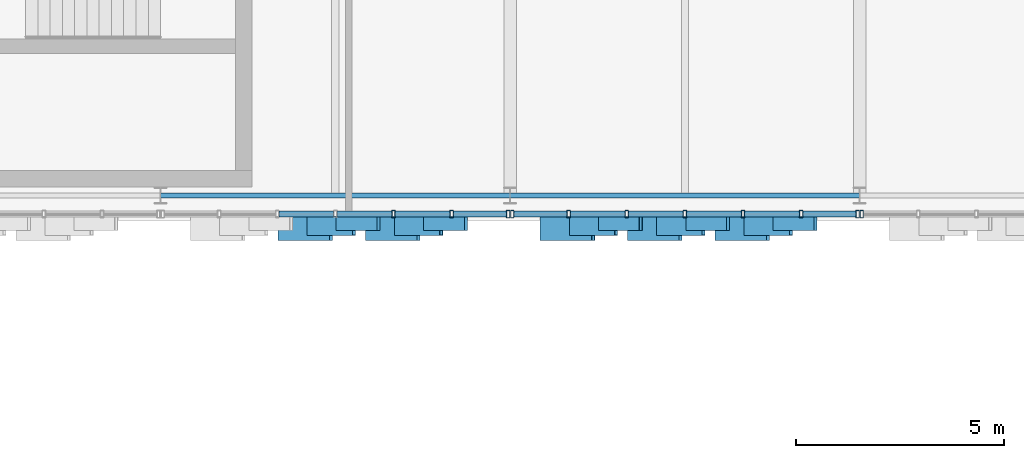
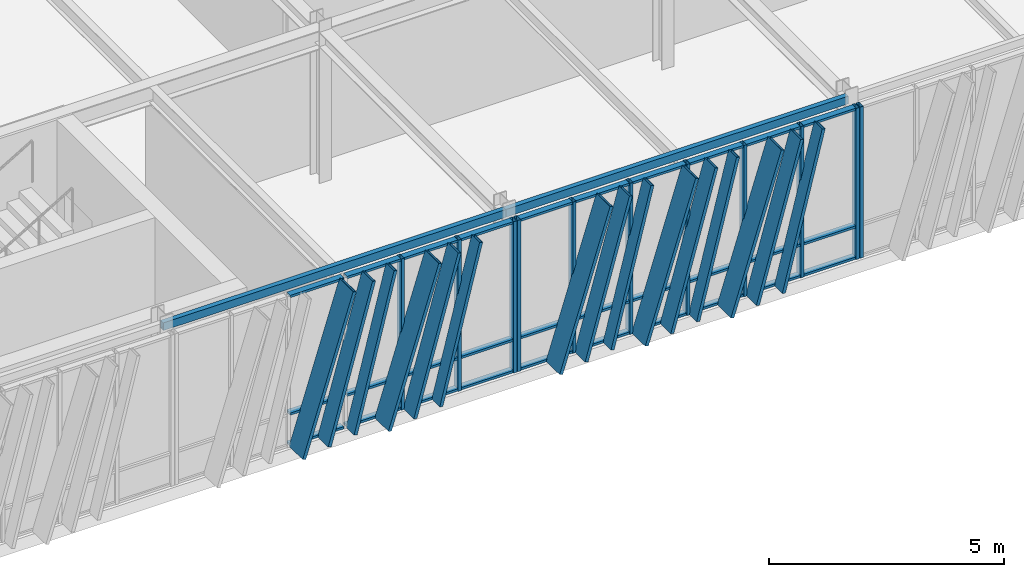
# One storey, part 22 of 127: 56 members, 2 beams, 3 elements without a shape of their own.
"""IFC4 building model written with IfcOpenShell, lengths in metres."""

from ifc_helpers import new_model, si_unit, direction, frame, origin, origin_2d, place, context, subcontext, project, spatial, hollow_rectangle, extrude, material, layer, layer_set, material_profile, profile_set, type_object, element, aggregate, save


model = new_model("IFC4")

# Units and contexts
model_context = context("Model", 3, precision=1e-05, world=origin(), true_north=direction((0.0, 1.0)))
body_context = subcontext(model_context, "Body", "Model", "MODEL_VIEW")
ifc_project = project(units=[si_unit("LENGTHUNIT", "METRE"), si_unit("AREAUNIT", "SQUARE_METRE"), si_unit("VOLUMEUNIT", "CUBIC_METRE"), si_unit("PLANEANGLEUNIT", "RADIAN"), si_unit("MASSUNIT", "GRAM", prefix="KILO")], contexts=[model_context])

# Site, building, storey
site_placement = place(None, origin())
site = spatial("IfcSite", under=ifc_project, at=site_placement, CompositionType="ELEMENT")
building_placement = place(site_placement, origin())
building = spatial("IfcBuilding", under=site, at=building_placement, Name="Zayran Congress Hotel", CompositionType="ELEMENT")
storey_placement = place(building_placement, frame((0.0, 0.0, 10.800048828125)))
storey = spatial("IfcBuildingStorey", under=building, at=storey_placement, Name="L02", CompositionType="ELEMENT", Elevation=10.800048828125)

# Beams
ifc_material_1 = material(Name="Steel S355", Category="steel")
ifc_material_profile_1 = material_profile(ifc_material_1, hollow_rectangle(XDim=0.1201171875, YDim=0.199951171875, WallThickness=0.008056640625, at=origin_2d()), Name="RHS 200x120x8")
ifc_profile_set_1 = profile_set([ifc_material_profile_1], Name="Steel S355")
beam_type = type_object("IfcBeamType", Name="TP-SP-02", PredefinedType="SPANDREL", material=ifc_profile_set_1)
beam_1_placement = place(storey_placement, frame((16.800048828125, 68.199951171875, 3.820068359375), z_axis=(1.0, 0.0, 0.0), x_axis=(0.0, 1.0, 0.0)))
element("IfcBeam", 1, at=beam_1_placement, inside=storey, type_object=beam_type, Name="BM-V1-L02-0653", PredefinedType="SPANDREL", context=body_context, shape_type="SweptSolid", body=[
    extrude(hollow_rectangle(XDim=0.1201171875, YDim=0.199951171875, WallThickness=0.008056640625, at=origin_2d()), origin(), (0.0, 0.0, 1.0), 8.39990234375),
])
beam_2_placement = place(storey_placement, frame((25.199951171875, 68.199951171875, 3.820068359375), z_axis=(1.0, 0.0, 0.0), x_axis=(0.0, 1.0, 0.0)))
element("IfcBeam", 2, at=beam_2_placement, inside=storey, type_object=beam_type, Name="BM-V1-L02-0654", PredefinedType="SPANDREL", context=body_context, shape_type="SweptSolid", body=[
    extrude(hollow_rectangle(XDim=0.1201171875, YDim=0.199951171875, WallThickness=0.008056640625, at=origin_2d()), origin(), (0.0, 0.0, 1.0), 8.400146484375),
])

# Curtain wall, members
ifc_material_2 = material(Name="Anodised aluminium and low-E insulated glass", Category="aluminium")
ifc_layer_1 = layer(ifc_material_2, 0.179931640625)
ifc_layer_set_1 = layer_set([ifc_layer_1], Name="Anodised aluminium and low-E insulated glass")
curtain_wall_type_1 = type_object("IfcCurtainWallType", Name="CW-V1S-L02-CW-12-8380-3920", PredefinedType="USERDEFINED", material=ifc_layer_set_1)
curtain_wall_1_placement = place(storey_placement, origin())
curtain_wall_1 = element("IfcCurtainWall", 3, at=curtain_wall_1_placement, inside=storey, type_object=curtain_wall_type_1, Name="CW-V1S-L02-1", ObjectType="CURTAIN WALL", PredefinedType="USERDEFINED")
ifc_material_3 = material(Name="Anodised aluminium framing", Category="aluminium")
ifc_material_profile_2 = material_profile(ifc_material_3, hollow_rectangle(XDim=0.080078125, YDim=0.179931640625, WallThickness=0.0048828125, at=origin_2d()), Name="RHS 180x80x5")
ifc_profile_set_2 = profile_set([ifc_material_profile_2], Name="Anodised aluminium framing")
member_type_1 = type_object("IfcMemberType", Name="TP-CWM-01", PredefinedType="MULLION", material=ifc_profile_set_2)
member_1_placement = place(storey_placement, frame((22.396728515625, 67.75, 0.0), z_axis=(0.0, 0.0, 1.0), x_axis=(1.0, 0.0, 0.0)))
member_1 = element("IfcMember", 4, at=member_1_placement, type_object=member_type_1, Name="CW-V1S-L02-1-M04", PredefinedType="MULLION", context=body_context, shape_type="SweptSolid", body=[
    extrude(hollow_rectangle(XDim=0.080078125, YDim=0.179931640625, WallThickness=0.0048828125, at=origin_2d()), origin(), (0.0, 0.0, 1.0), 3.919921875),
])
member_2_placement = place(storey_placement, frame((23.793212890625, 67.75, 0.0), z_axis=(0.0, 0.0, 1.0), x_axis=(1.0, 0.0, 0.0)))
member_2 = element("IfcMember", 5, at=member_2_placement, type_object=member_type_1, Name="CW-V1S-L02-1-M05", PredefinedType="MULLION", context=body_context, shape_type="SweptSolid", body=[
    extrude(hollow_rectangle(XDim=0.080078125, YDim=0.179931640625, WallThickness=0.0048828125, at=origin_2d()), origin(), (0.0, 0.0, 1.0), 3.919921875),
])
member_3_placement = place(storey_placement, frame((25.14990234375, 67.75, 0.0), z_axis=(0.0, 0.0, 1.0), x_axis=(1.0, 0.0, 0.0)))
member_3 = element("IfcMember", 6, at=member_3_placement, type_object=member_type_1, Name="CW-V1S-L02-1-M06", PredefinedType="MULLION", context=body_context, shape_type="SweptSolid", body=[
    extrude(hollow_rectangle(XDim=0.080078125, YDim=0.179931640625, WallThickness=0.0048828125, at=origin_2d()), origin(), (0.0, 0.0, 1.0), 3.919921875),
])

ifc_layer_2 = layer(ifc_material_2, 0.179931640625)
ifc_layer_set_2 = layer_set([ifc_layer_2], Name="Anodised aluminium and low-E insulated glass")
curtain_wall_type_2 = type_object("IfcCurtainWallType", Name="CW-V1S-L02-CW-13-8380-3920", PredefinedType="USERDEFINED", material=ifc_layer_set_2)
curtain_wall_2_placement = place(storey_placement, origin())
curtain_wall_2 = element("IfcCurtainWall", 7, at=curtain_wall_2_placement, inside=storey, type_object=curtain_wall_type_2, Name="CW-V1S-L02-2", ObjectType="CURTAIN WALL", PredefinedType="USERDEFINED")
member_4_placement = place(storey_placement, frame((25.25, 67.75, 0.0), z_axis=(0.0, 0.0, 1.0), x_axis=(1.0, 0.0, 0.0)))
member_4 = element("IfcMember", 8, at=member_4_placement, type_object=member_type_1, Name="CW-V1S-L02-2-M00", PredefinedType="MULLION", context=body_context, shape_type="SweptSolid", body=[
    extrude(hollow_rectangle(XDim=0.080078125, YDim=0.179931640625, WallThickness=0.0048828125, at=origin_2d()), origin(), (0.0, 0.0, 1.0), 3.919921875),
])
member_5_placement = place(storey_placement, frame((26.606689453125, 67.75, 0.0), z_axis=(0.0, 0.0, 1.0), x_axis=(1.0, 0.0, 0.0)))
member_5 = element("IfcMember", 9, at=member_5_placement, type_object=member_type_1, Name="CW-V1S-L02-2-M01", PredefinedType="MULLION", context=body_context, shape_type="SweptSolid", body=[
    extrude(hollow_rectangle(XDim=0.080078125, YDim=0.179931640625, WallThickness=0.0048828125, at=origin_2d()), origin(), (0.0, 0.0, 1.0), 3.919921875),
])
member_6_placement = place(storey_placement, frame((28.00341796875, 67.75, 0.0), z_axis=(0.0, 0.0, 1.0), x_axis=(1.0, 0.0, 0.0)))
member_6 = element("IfcMember", 10, at=member_6_placement, type_object=member_type_1, Name="CW-V1S-L02-2-M02", PredefinedType="MULLION", context=body_context, shape_type="SweptSolid", body=[
    extrude(hollow_rectangle(XDim=0.080078125, YDim=0.179931640625, WallThickness=0.0048828125, at=origin_2d()), origin(), (0.0, 0.0, 1.0), 3.919921875),
])
member_7_placement = place(storey_placement, frame((29.39990234375, 67.75, 0.0), z_axis=(0.0, 0.0, 1.0), x_axis=(1.0, 0.0, 0.0)))
member_7 = element("IfcMember", 11, at=member_7_placement, type_object=member_type_1, Name="CW-V1S-L02-2-M03", PredefinedType="MULLION", context=body_context, shape_type="SweptSolid", body=[
    extrude(hollow_rectangle(XDim=0.080078125, YDim=0.179931640625, WallThickness=0.0048828125, at=origin_2d()), origin(), (0.0, 0.0, 1.0), 3.919921875),
])
member_8_placement = place(storey_placement, frame((30.796630859375, 67.75, 0.0), z_axis=(0.0, 0.0, 1.0), x_axis=(1.0, 0.0, 0.0)))
member_8 = element("IfcMember", 12, at=member_8_placement, type_object=member_type_1, Name="CW-V1S-L02-2-M04", PredefinedType="MULLION", context=body_context, shape_type="SweptSolid", body=[
    extrude(hollow_rectangle(XDim=0.080078125, YDim=0.179931640625, WallThickness=0.0048828125, at=origin_2d()), origin(), (0.0, 0.0, 1.0), 3.919921875),
])
member_9_placement = place(storey_placement, frame((32.193359375, 67.75, 0.0), z_axis=(0.0, 0.0, 1.0), x_axis=(1.0, 0.0, 0.0)))
member_9 = element("IfcMember", 13, at=member_9_placement, type_object=member_type_1, Name="CW-V1S-L02-2-M05", PredefinedType="MULLION", context=body_context, shape_type="SweptSolid", body=[
    extrude(hollow_rectangle(XDim=0.080078125, YDim=0.179931640625, WallThickness=0.0048828125, at=origin_2d()), origin(), (0.0, 0.0, 1.0), 3.919921875),
])
member_10_placement = place(storey_placement, frame((33.550048828125, 67.75, 0.0), z_axis=(0.0, 0.0, 1.0), x_axis=(1.0, 0.0, 0.0)))
member_10 = element("IfcMember", 14, at=member_10_placement, type_object=member_type_1, Name="CW-V1S-L02-2-M06", PredefinedType="MULLION", context=body_context, shape_type="SweptSolid", body=[
    extrude(hollow_rectangle(XDim=0.080078125, YDim=0.179931640625, WallThickness=0.0048828125, at=origin_2d()), origin(), (0.0, 0.0, 1.0), 3.919921875),
])

# Curtain wall, member
ifc_layer_3 = layer(ifc_material_2, 0.179931640625)
ifc_layer_set_3 = layer_set([ifc_layer_3], Name="Anodised aluminium and low-E insulated glass")
curtain_wall_type_3 = type_object("IfcCurtainWallType", Name="CW-V1S-L02-CW-11-8380-3920", PredefinedType="USERDEFINED", material=ifc_layer_set_3)
curtain_wall_3_placement = place(storey_placement, origin())
curtain_wall_3 = element("IfcCurtainWall", 15, at=curtain_wall_3_placement, inside=storey, type_object=curtain_wall_type_3, Name="CW-V1S-L02-3", ObjectType="CURTAIN WALL", PredefinedType="USERDEFINED")
member_11_placement = place(storey_placement, frame((33.64990234375, 67.75, 0.0), z_axis=(0.0, 0.0, 1.0), x_axis=(1.0, 0.0, 0.0)))
member_11 = element("IfcMember", 16, at=member_11_placement, type_object=member_type_1, Name="CW-V1S-L02-3-M00", PredefinedType="MULLION", context=body_context, shape_type="SweptSolid", body=[
    extrude(hollow_rectangle(XDim=0.080078125, YDim=0.179931640625, WallThickness=0.0048828125, at=origin_2d()), origin(), (0.0, 0.0, 1.0), 3.919921875),
])
aggregate(curtain_wall_3, [member_11])

# Member
ifc_material_profile_3 = material_profile(ifc_material_3, hollow_rectangle(XDim=0.06005859375, YDim=0.14990234375, WallThickness=0.00390625, at=origin_2d()), Name="RHS 150x60x4")
ifc_profile_set_3 = profile_set([ifc_material_profile_3], Name="Anodised aluminium framing")
member_type_2 = type_object("IfcMemberType", Name="TP-CWT-01", PredefinedType="USERDEFINED", material=ifc_profile_set_3)
member_12_placement = place(storey_placement, frame((19.643310546875, 67.75, 0.030029296875), z_axis=(1.0, 0.0, 0.0), x_axis=(0.0, 0.0, 1.0)))
member_12 = element("IfcMember", 17, at=member_12_placement, type_object=member_type_2, Name="CW-V1S-L02-1-T02-0", ObjectType="TRANSOM", PredefinedType="USERDEFINED", context=body_context, shape_type="SweptSolid", body=[
    extrude(hollow_rectangle(XDim=0.06005859375, YDim=0.14990234375, WallThickness=0.00390625, at=origin_2d()), origin(), (0.0, 0.0, 1.0), 1.316650390625),
])

member_13_placement = place(storey_placement, frame((19.643310546875, 67.75, 0.83984375), z_axis=(1.0, 0.0, 0.0), x_axis=(0.0, 0.0, 1.0)))
member_13 = element("IfcMember", 18, at=member_13_placement, type_object=member_type_2, Name="CW-V1S-L02-1-T02-1", ObjectType="TRANSOM", PredefinedType="USERDEFINED", context=body_context, shape_type="SweptSolid", body=[
    extrude(hollow_rectangle(XDim=0.06005859375, YDim=0.14990234375, WallThickness=0.00390625, at=origin_2d()), origin(), (0.0, 0.0, 1.0), 1.316650390625),
])

member_14_placement = place(storey_placement, frame((19.643310546875, 67.75, 3.889892578125), z_axis=(1.0, 0.0, 0.0), x_axis=(0.0, 0.0, 1.0)))
member_14 = element("IfcMember", 19, at=member_14_placement, type_object=member_type_2, Name="CW-V1S-L02-1-T02-2", ObjectType="TRANSOM", PredefinedType="USERDEFINED", context=body_context, shape_type="SweptSolid", body=[
    extrude(hollow_rectangle(XDim=0.06005859375, YDim=0.14990234375, WallThickness=0.00390625, at=origin_2d()), origin(), (0.0, 0.0, 1.0), 1.316650390625),
])

member_15_placement = place(storey_placement, frame((21.0400390625, 67.75, 0.030029296875), z_axis=(1.0, 0.0, 0.0), x_axis=(0.0, 0.0, 1.0)))
member_15 = element("IfcMember", 20, at=member_15_placement, type_object=member_type_2, Name="CW-V1S-L02-1-T03-0", ObjectType="TRANSOM", PredefinedType="USERDEFINED", context=body_context, shape_type="SweptSolid", body=[
    extrude(hollow_rectangle(XDim=0.06005859375, YDim=0.14990234375, WallThickness=0.00390625, at=origin_2d()), origin(), (0.0, 0.0, 1.0), 1.316650390625),
])

member_16_placement = place(storey_placement, frame((21.0400390625, 67.75, 0.83984375), z_axis=(1.0, 0.0, 0.0), x_axis=(0.0, 0.0, 1.0)))
member_16 = element("IfcMember", 21, at=member_16_placement, type_object=member_type_2, Name="CW-V1S-L02-1-T03-1", ObjectType="TRANSOM", PredefinedType="USERDEFINED", context=body_context, shape_type="SweptSolid", body=[
    extrude(hollow_rectangle(XDim=0.06005859375, YDim=0.14990234375, WallThickness=0.00390625, at=origin_2d()), origin(), (0.0, 0.0, 1.0), 1.316650390625),
])

member_17_placement = place(storey_placement, frame((21.0400390625, 67.75, 3.889892578125), z_axis=(1.0, 0.0, 0.0), x_axis=(0.0, 0.0, 1.0)))
member_17 = element("IfcMember", 22, at=member_17_placement, type_object=member_type_2, Name="CW-V1S-L02-1-T03-2", ObjectType="TRANSOM", PredefinedType="USERDEFINED", context=body_context, shape_type="SweptSolid", body=[
    extrude(hollow_rectangle(XDim=0.06005859375, YDim=0.14990234375, WallThickness=0.00390625, at=origin_2d()), origin(), (0.0, 0.0, 1.0), 1.316650390625),
])

member_18_placement = place(storey_placement, frame((22.436767578125, 67.75, 0.030029296875), z_axis=(1.0, 0.0, 0.0), x_axis=(0.0, 0.0, 1.0)))
member_18 = element("IfcMember", 23, at=member_18_placement, type_object=member_type_2, Name="CW-V1S-L02-1-T04-0", ObjectType="TRANSOM", PredefinedType="USERDEFINED", context=body_context, shape_type="SweptSolid", body=[
    extrude(hollow_rectangle(XDim=0.06005859375, YDim=0.14990234375, WallThickness=0.00390625, at=origin_2d()), origin(), (0.0, 0.0, 1.0), 1.316650390625),
])

member_19_placement = place(storey_placement, frame((22.436767578125, 67.75, 0.83984375), z_axis=(1.0, 0.0, 0.0), x_axis=(0.0, 0.0, 1.0)))
member_19 = element("IfcMember", 24, at=member_19_placement, type_object=member_type_2, Name="CW-V1S-L02-1-T04-1", ObjectType="TRANSOM", PredefinedType="USERDEFINED", context=body_context, shape_type="SweptSolid", body=[
    extrude(hollow_rectangle(XDim=0.06005859375, YDim=0.14990234375, WallThickness=0.00390625, at=origin_2d()), origin(), (0.0, 0.0, 1.0), 1.316650390625),
])

member_20_placement = place(storey_placement, frame((22.436767578125, 67.75, 3.889892578125), z_axis=(1.0, 0.0, 0.0), x_axis=(0.0, 0.0, 1.0)))
member_20 = element("IfcMember", 25, at=member_20_placement, type_object=member_type_2, Name="CW-V1S-L02-1-T04-2", ObjectType="TRANSOM", PredefinedType="USERDEFINED", context=body_context, shape_type="SweptSolid", body=[
    extrude(hollow_rectangle(XDim=0.06005859375, YDim=0.14990234375, WallThickness=0.00390625, at=origin_2d()), origin(), (0.0, 0.0, 1.0), 1.316650390625),
])

member_21_placement = place(storey_placement, frame((23.833251953125, 67.75, 0.030029296875), z_axis=(1.0, 0.0, 0.0), x_axis=(0.0, 0.0, 1.0)))
member_21 = element("IfcMember", 26, at=member_21_placement, type_object=member_type_2, Name="CW-V1S-L02-1-T05-0", ObjectType="TRANSOM", PredefinedType="USERDEFINED", context=body_context, shape_type="SweptSolid", body=[
    extrude(hollow_rectangle(XDim=0.06005859375, YDim=0.14990234375, WallThickness=0.00390625, at=origin_2d()), origin(), (0.0, 0.0, 1.0), 1.27685546875),
])

member_22_placement = place(storey_placement, frame((23.833251953125, 67.75, 0.83984375), z_axis=(1.0, 0.0, 0.0), x_axis=(0.0, 0.0, 1.0)))
member_22 = element("IfcMember", 27, at=member_22_placement, type_object=member_type_2, Name="CW-V1S-L02-1-T05-1", ObjectType="TRANSOM", PredefinedType="USERDEFINED", context=body_context, shape_type="SweptSolid", body=[
    extrude(hollow_rectangle(XDim=0.06005859375, YDim=0.14990234375, WallThickness=0.00390625, at=origin_2d()), origin(), (0.0, 0.0, 1.0), 1.27685546875),
])

member_23_placement = place(storey_placement, frame((23.833251953125, 67.75, 3.889892578125), z_axis=(1.0, 0.0, 0.0), x_axis=(0.0, 0.0, 1.0)))
member_23 = element("IfcMember", 28, at=member_23_placement, type_object=member_type_2, Name="CW-V1S-L02-1-T05-2", ObjectType="TRANSOM", PredefinedType="USERDEFINED", context=body_context, shape_type="SweptSolid", body=[
    extrude(hollow_rectangle(XDim=0.06005859375, YDim=0.14990234375, WallThickness=0.00390625, at=origin_2d()), origin(), (0.0, 0.0, 1.0), 1.27685546875),
])

member_24_placement = place(storey_placement, frame((25.2900390625, 67.75, 0.030029296875), z_axis=(1.0, 0.0, 0.0), x_axis=(0.0, 0.0, 1.0)))
member_24 = element("IfcMember", 29, at=member_24_placement, type_object=member_type_2, Name="CW-V1S-L02-2-T00-0", ObjectType="TRANSOM", PredefinedType="USERDEFINED", context=body_context, shape_type="SweptSolid", body=[
    extrude(hollow_rectangle(XDim=0.06005859375, YDim=0.14990234375, WallThickness=0.00390625, at=origin_2d()), origin(), (0.0, 0.0, 1.0), 1.276611328125),
])

member_25_placement = place(storey_placement, frame((25.2900390625, 67.75, 0.83984375), z_axis=(1.0, 0.0, 0.0), x_axis=(0.0, 0.0, 1.0)))
member_25 = element("IfcMember", 30, at=member_25_placement, type_object=member_type_2, Name="CW-V1S-L02-2-T00-1", ObjectType="TRANSOM", PredefinedType="USERDEFINED", context=body_context, shape_type="SweptSolid", body=[
    extrude(hollow_rectangle(XDim=0.06005859375, YDim=0.14990234375, WallThickness=0.00390625, at=origin_2d()), origin(), (0.0, 0.0, 1.0), 1.276611328125),
])

member_26_placement = place(storey_placement, frame((25.2900390625, 67.75, 3.889892578125), z_axis=(1.0, 0.0, 0.0), x_axis=(0.0, 0.0, 1.0)))
member_26 = element("IfcMember", 31, at=member_26_placement, type_object=member_type_2, Name="CW-V1S-L02-2-T00-2", ObjectType="TRANSOM", PredefinedType="USERDEFINED", context=body_context, shape_type="SweptSolid", body=[
    extrude(hollow_rectangle(XDim=0.06005859375, YDim=0.14990234375, WallThickness=0.00390625, at=origin_2d()), origin(), (0.0, 0.0, 1.0), 1.276611328125),
])

member_27_placement = place(storey_placement, frame((26.646728515625, 67.75, 0.030029296875), z_axis=(1.0, 0.0, 0.0), x_axis=(0.0, 0.0, 1.0)))
member_27 = element("IfcMember", 32, at=member_27_placement, type_object=member_type_2, Name="CW-V1S-L02-2-T01-0", ObjectType="TRANSOM", PredefinedType="USERDEFINED", context=body_context, shape_type="SweptSolid", body=[
    extrude(hollow_rectangle(XDim=0.06005859375, YDim=0.14990234375, WallThickness=0.00390625, at=origin_2d()), origin(), (0.0, 0.0, 1.0), 1.316650390625),
])

member_28_placement = place(storey_placement, frame((26.646728515625, 67.75, 0.83984375), z_axis=(1.0, 0.0, 0.0), x_axis=(0.0, 0.0, 1.0)))
member_28 = element("IfcMember", 33, at=member_28_placement, type_object=member_type_2, Name="CW-V1S-L02-2-T01-1", ObjectType="TRANSOM", PredefinedType="USERDEFINED", context=body_context, shape_type="SweptSolid", body=[
    extrude(hollow_rectangle(XDim=0.06005859375, YDim=0.14990234375, WallThickness=0.00390625, at=origin_2d()), origin(), (0.0, 0.0, 1.0), 1.316650390625),
])

member_29_placement = place(storey_placement, frame((26.646728515625, 67.75, 3.889892578125), z_axis=(1.0, 0.0, 0.0), x_axis=(0.0, 0.0, 1.0)))
member_29 = element("IfcMember", 34, at=member_29_placement, type_object=member_type_2, Name="CW-V1S-L02-2-T01-2", ObjectType="TRANSOM", PredefinedType="USERDEFINED", context=body_context, shape_type="SweptSolid", body=[
    extrude(hollow_rectangle(XDim=0.06005859375, YDim=0.14990234375, WallThickness=0.00390625, at=origin_2d()), origin(), (0.0, 0.0, 1.0), 1.316650390625),
])

member_30_placement = place(storey_placement, frame((28.043212890625, 67.75, 0.030029296875), z_axis=(1.0, 0.0, 0.0), x_axis=(0.0, 0.0, 1.0)))
member_30 = element("IfcMember", 35, at=member_30_placement, type_object=member_type_2, Name="CW-V1S-L02-2-T02-0", ObjectType="TRANSOM", PredefinedType="USERDEFINED", context=body_context, shape_type="SweptSolid", body=[
    extrude(hollow_rectangle(XDim=0.06005859375, YDim=0.14990234375, WallThickness=0.00390625, at=origin_2d()), origin(), (0.0, 0.0, 1.0), 1.31689453125),
])

member_31_placement = place(storey_placement, frame((28.043212890625, 67.75, 0.83984375), z_axis=(1.0, 0.0, 0.0), x_axis=(0.0, 0.0, 1.0)))
member_31 = element("IfcMember", 36, at=member_31_placement, type_object=member_type_2, Name="CW-V1S-L02-2-T02-1", ObjectType="TRANSOM", PredefinedType="USERDEFINED", context=body_context, shape_type="SweptSolid", body=[
    extrude(hollow_rectangle(XDim=0.06005859375, YDim=0.14990234375, WallThickness=0.00390625, at=origin_2d()), origin(), (0.0, 0.0, 1.0), 1.31689453125),
])

member_32_placement = place(storey_placement, frame((28.043212890625, 67.75, 3.889892578125), z_axis=(1.0, 0.0, 0.0), x_axis=(0.0, 0.0, 1.0)))
member_32 = element("IfcMember", 37, at=member_32_placement, type_object=member_type_2, Name="CW-V1S-L02-2-T02-2", ObjectType="TRANSOM", PredefinedType="USERDEFINED", context=body_context, shape_type="SweptSolid", body=[
    extrude(hollow_rectangle(XDim=0.06005859375, YDim=0.14990234375, WallThickness=0.00390625, at=origin_2d()), origin(), (0.0, 0.0, 1.0), 1.31689453125),
])

member_33_placement = place(storey_placement, frame((29.43994140625, 67.75, 0.030029296875), z_axis=(1.0, 0.0, 0.0), x_axis=(0.0, 0.0, 1.0)))
member_33 = element("IfcMember", 38, at=member_33_placement, type_object=member_type_2, Name="CW-V1S-L02-2-T03-0", ObjectType="TRANSOM", PredefinedType="USERDEFINED", context=body_context, shape_type="SweptSolid", body=[
    extrude(hollow_rectangle(XDim=0.06005859375, YDim=0.14990234375, WallThickness=0.00390625, at=origin_2d()), origin(), (0.0, 0.0, 1.0), 1.316650390625),
])

member_34_placement = place(storey_placement, frame((29.43994140625, 67.75, 0.83984375), z_axis=(1.0, 0.0, 0.0), x_axis=(0.0, 0.0, 1.0)))
member_34 = element("IfcMember", 39, at=member_34_placement, type_object=member_type_2, Name="CW-V1S-L02-2-T03-1", ObjectType="TRANSOM", PredefinedType="USERDEFINED", context=body_context, shape_type="SweptSolid", body=[
    extrude(hollow_rectangle(XDim=0.06005859375, YDim=0.14990234375, WallThickness=0.00390625, at=origin_2d()), origin(), (0.0, 0.0, 1.0), 1.316650390625),
])

member_35_placement = place(storey_placement, frame((29.43994140625, 67.75, 3.889892578125), z_axis=(1.0, 0.0, 0.0), x_axis=(0.0, 0.0, 1.0)))
member_35 = element("IfcMember", 40, at=member_35_placement, type_object=member_type_2, Name="CW-V1S-L02-2-T03-2", ObjectType="TRANSOM", PredefinedType="USERDEFINED", context=body_context, shape_type="SweptSolid", body=[
    extrude(hollow_rectangle(XDim=0.06005859375, YDim=0.14990234375, WallThickness=0.00390625, at=origin_2d()), origin(), (0.0, 0.0, 1.0), 1.316650390625),
])

member_36_placement = place(storey_placement, frame((30.836669921875, 67.75, 0.030029296875), z_axis=(1.0, 0.0, 0.0), x_axis=(0.0, 0.0, 1.0)))
member_36 = element("IfcMember", 41, at=member_36_placement, type_object=member_type_2, Name="CW-V1S-L02-2-T04-0", ObjectType="TRANSOM", PredefinedType="USERDEFINED", context=body_context, shape_type="SweptSolid", body=[
    extrude(hollow_rectangle(XDim=0.06005859375, YDim=0.14990234375, WallThickness=0.00390625, at=origin_2d()), origin(), (0.0, 0.0, 1.0), 1.316650390625),
])

member_37_placement = place(storey_placement, frame((30.836669921875, 67.75, 0.83984375), z_axis=(1.0, 0.0, 0.0), x_axis=(0.0, 0.0, 1.0)))
member_37 = element("IfcMember", 42, at=member_37_placement, type_object=member_type_2, Name="CW-V1S-L02-2-T04-1", ObjectType="TRANSOM", PredefinedType="USERDEFINED", context=body_context, shape_type="SweptSolid", body=[
    extrude(hollow_rectangle(XDim=0.06005859375, YDim=0.14990234375, WallThickness=0.00390625, at=origin_2d()), origin(), (0.0, 0.0, 1.0), 1.316650390625),
])

member_38_placement = place(storey_placement, frame((30.836669921875, 67.75, 3.889892578125), z_axis=(1.0, 0.0, 0.0), x_axis=(0.0, 0.0, 1.0)))
member_38 = element("IfcMember", 43, at=member_38_placement, type_object=member_type_2, Name="CW-V1S-L02-2-T04-2", ObjectType="TRANSOM", PredefinedType="USERDEFINED", context=body_context, shape_type="SweptSolid", body=[
    extrude(hollow_rectangle(XDim=0.06005859375, YDim=0.14990234375, WallThickness=0.00390625, at=origin_2d()), origin(), (0.0, 0.0, 1.0), 1.316650390625),
])

member_39_placement = place(storey_placement, frame((32.2333984375, 67.75, 0.030029296875), z_axis=(1.0, 0.0, 0.0), x_axis=(0.0, 0.0, 1.0)))
member_39 = element("IfcMember", 44, at=member_39_placement, type_object=member_type_2, Name="CW-V1S-L02-2-T05-0", ObjectType="TRANSOM", PredefinedType="USERDEFINED", context=body_context, shape_type="SweptSolid", body=[
    extrude(hollow_rectangle(XDim=0.06005859375, YDim=0.14990234375, WallThickness=0.00390625, at=origin_2d()), origin(), (0.0, 0.0, 1.0), 1.276611328125),
])

member_40_placement = place(storey_placement, frame((32.2333984375, 67.75, 0.83984375), z_axis=(1.0, 0.0, 0.0), x_axis=(0.0, 0.0, 1.0)))
member_40 = element("IfcMember", 45, at=member_40_placement, type_object=member_type_2, Name="CW-V1S-L02-2-T05-1", ObjectType="TRANSOM", PredefinedType="USERDEFINED", context=body_context, shape_type="SweptSolid", body=[
    extrude(hollow_rectangle(XDim=0.06005859375, YDim=0.14990234375, WallThickness=0.00390625, at=origin_2d()), origin(), (0.0, 0.0, 1.0), 1.276611328125),
])

member_41_placement = place(storey_placement, frame((32.2333984375, 67.75, 3.889892578125), z_axis=(1.0, 0.0, 0.0), x_axis=(0.0, 0.0, 1.0)))
member_41 = element("IfcMember", 46, at=member_41_placement, type_object=member_type_2, Name="CW-V1S-L02-2-T05-2", ObjectType="TRANSOM", PredefinedType="USERDEFINED", context=body_context, shape_type="SweptSolid", body=[
    extrude(hollow_rectangle(XDim=0.06005859375, YDim=0.14990234375, WallThickness=0.00390625, at=origin_2d()), origin(), (0.0, 0.0, 1.0), 1.276611328125),
])

ifc_material_4 = material(Name="Warm bronze anodised aluminium", Category="aluminium")
ifc_material_profile_4 = material_profile(ifc_material_4, hollow_rectangle(XDim=0.080078125, YDim=0.580078125, WallThickness=0.006103515625, at=origin_2d()), Name="RHS 580x80x6")
ifc_profile_set_4 = profile_set([ifc_material_profile_4], Name="Warm bronze anodised aluminium")
member_type_3 = type_object("IfcMemberType", Name="TP-RFN-01", PredefinedType="MULLION", material=ifc_profile_set_4)
member_42_placement = place(storey_placement, frame((19.659912109375, 67.39990234375, 0.0), z_axis=(0.300736197829, 0.0, 0.953707365661), x_axis=(-0.953707365661, 0.0, 0.300736197829)))
member_42 = element("IfcMember", 47, at=member_42_placement, type_object=member_type_3, Name="Slanting Reed Mullion CW-12-04", PredefinedType="MULLION", context=body_context, shape_type="SweptSolid", body=[
    extrude(hollow_rectangle(XDim=0.080078125, YDim=0.580078125, WallThickness=0.006103515625, at=origin_2d()), origin(), (0.0, 0.0, 1.0), 4.110107421875),
])

member_43_placement = place(storey_placement, frame((21.760009765625, 67.39990234375, 0.0), z_axis=(0.300736197829, 0.0, 0.953707365661), x_axis=(-0.953707365661, 0.0, 0.300736197829)))
member_43 = element("IfcMember", 48, at=member_43_placement, type_object=member_type_3, Name="Slanting Reed Mullion CW-12-07", PredefinedType="MULLION", context=body_context, shape_type="SweptSolid", body=[
    extrude(hollow_rectangle(XDim=0.080078125, YDim=0.580078125, WallThickness=0.006103515625, at=origin_2d()), origin(), (0.0, 0.0, 1.0), 4.110107421875),
])

member_44_placement = place(storey_placement, frame((25.9599609375, 67.39990234375, 0.0), z_axis=(0.300736197829, 0.0, 0.953707365661), x_axis=(-0.953707365661, 0.0, 0.300736197829)))
member_44 = element("IfcMember", 49, at=member_44_placement, type_object=member_type_3, Name="Slanting Reed Mullion CW-13-01", PredefinedType="MULLION", context=body_context, shape_type="SweptSolid", body=[
    extrude(hollow_rectangle(XDim=0.080078125, YDim=0.580078125, WallThickness=0.006103515625, at=origin_2d()), origin(), (0.0, 0.0, 1.0), 4.110107421875),
])

member_45_placement = place(storey_placement, frame((28.06005859375, 67.39990234375, 0.0), z_axis=(0.30068216973, 0.0, 0.953724400866), x_axis=(-0.953724400866, 0.0, 0.30068216973)))
member_45 = element("IfcMember", 50, at=member_45_placement, type_object=member_type_3, Name="Slanting Reed Mullion CW-13-04", PredefinedType="MULLION", context=body_context, shape_type="SweptSolid", body=[
    extrude(hollow_rectangle(XDim=0.080078125, YDim=0.580078125, WallThickness=0.006103515625, at=origin_2d()), origin(), (0.0, 0.0, 1.0), 4.110107421875),
])

member_46_placement = place(storey_placement, frame((30.159912109375, 67.39990234375, 0.0), z_axis=(0.300736197829, 0.0, 0.953707365661), x_axis=(-0.953707365661, 0.0, 0.300736197829)))
member_46 = element("IfcMember", 51, at=member_46_placement, type_object=member_type_3, Name="Slanting Reed Mullion CW-13-07", PredefinedType="MULLION", context=body_context, shape_type="SweptSolid", body=[
    extrude(hollow_rectangle(XDim=0.080078125, YDim=0.580078125, WallThickness=0.006103515625, at=origin_2d()), origin(), (0.0, 0.0, 1.0), 4.110107421875),
])

ifc_material_profile_5 = material_profile(ifc_material_4, hollow_rectangle(XDim=0.080078125, YDim=0.449951171875, WallThickness=0.006103515625, at=origin_2d()), Name="RHS 450x80x6")
ifc_profile_set_5 = profile_set([ifc_material_profile_5], Name="Warm bronze anodised aluminium")
member_type_4 = type_object("IfcMemberType", Name="TP-RFN-02", PredefinedType="MULLION", material=ifc_profile_set_5)
member_47_placement = place(storey_placement, frame((20.360107421875, 67.465087890625, 0.0), z_axis=(0.26719808883, 0.0, 0.963641624944), x_axis=(-0.963641624944, 0.0, 0.26719808883)))
member_47 = element("IfcMember", 52, at=member_47_placement, type_object=member_type_4, Name="Slanting Reed Mullion CW-12-05", PredefinedType="MULLION", context=body_context, shape_type="SweptSolid", body=[
    extrude(hollow_rectangle(XDim=0.080078125, YDim=0.449951171875, WallThickness=0.006103515625, at=origin_2d()), origin(), (0.0, 0.0, 1.0), 4.06787109375),
])

member_48_placement = place(storey_placement, frame((22.4599609375, 67.465087890625, 0.0), z_axis=(0.267253820088, 0.0, 0.963626170072), x_axis=(-0.963626170072, 0.0, 0.267253820088)))
member_48 = element("IfcMember", 53, at=member_48_placement, type_object=member_type_4, Name="Slanting Reed Mullion CW-12-08", PredefinedType="MULLION", context=body_context, shape_type="SweptSolid", body=[
    extrude(hollow_rectangle(XDim=0.080078125, YDim=0.449951171875, WallThickness=0.006103515625, at=origin_2d()), origin(), (0.0, 0.0, 1.0), 4.06787109375),
])

member_49_placement = place(storey_placement, frame((26.659912109375, 67.465087890625, 0.0), z_axis=(0.267253820088, 0.0, 0.963626170072), x_axis=(-0.963626170072, 0.0, 0.267253820088)))
member_49 = element("IfcMember", 54, at=member_49_placement, type_object=member_type_4, Name="Slanting Reed Mullion CW-13-02", PredefinedType="MULLION", context=body_context, shape_type="SweptSolid", body=[
    extrude(hollow_rectangle(XDim=0.080078125, YDim=0.449951171875, WallThickness=0.006103515625, at=origin_2d()), origin(), (0.0, 0.0, 1.0), 4.06787109375),
])

member_50_placement = place(storey_placement, frame((28.760009765625, 67.465087890625, 0.0), z_axis=(0.267253820088, 0.0, 0.963626170072), x_axis=(-0.963626170072, 0.0, 0.267253820088)))
member_50 = element("IfcMember", 55, at=member_50_placement, type_object=member_type_4, Name="Slanting Reed Mullion CW-13-05", PredefinedType="MULLION", context=body_context, shape_type="SweptSolid", body=[
    extrude(hollow_rectangle(XDim=0.080078125, YDim=0.449951171875, WallThickness=0.006103515625, at=origin_2d()), origin(), (0.0, 0.0, 1.0), 4.06787109375),
])

member_51_placement = place(storey_placement, frame((30.860107421875, 67.465087890625, 0.0), z_axis=(0.26719808883, 0.0, 0.963641624944), x_axis=(-0.963641624944, 0.0, 0.26719808883)))
member_51 = element("IfcMember", 56, at=member_51_placement, type_object=member_type_4, Name="Slanting Reed Mullion CW-13-08", PredefinedType="MULLION", context=body_context, shape_type="SweptSolid", body=[
    extrude(hollow_rectangle(XDim=0.080078125, YDim=0.449951171875, WallThickness=0.006103515625, at=origin_2d()), origin(), (0.0, 0.0, 1.0), 4.06787109375),
])

ifc_material_profile_6 = material_profile(ifc_material_4, hollow_rectangle(XDim=0.080078125, YDim=0.340087890625, WallThickness=0.006103515625, at=origin_2d()), Name="RHS 340x80x6")
ifc_profile_set_6 = profile_set([ifc_material_profile_6], Name="Warm bronze anodised aluminium")
member_type_5 = type_object("IfcMemberType", Name="TP-RFN-03", PredefinedType="MULLION", material=ifc_profile_set_6)
member_52_placement = place(storey_placement, frame((21.06005859375, 67.52001953125, 0.0), z_axis=(0.241909924035, 0.0, 0.970298711044), x_axis=(-0.970298711044, 0.0, 0.241909924035)))
member_52 = element("IfcMember", 57, at=member_52_placement, type_object=member_type_5, Name="Slanting Reed Mullion CW-12-06", PredefinedType="MULLION", context=body_context, shape_type="SweptSolid", body=[
    extrude(hollow_rectangle(XDim=0.080078125, YDim=0.340087890625, WallThickness=0.006103515625, at=origin_2d()), origin(), (0.0, 0.0, 1.0), 4.039794921875),
])

member_53_placement = place(storey_placement, frame((23.159912109375, 67.52001953125, 0.0), z_axis=(0.24196681843, 0.0, 0.970284524652), x_axis=(-0.970284524652, 0.0, 0.24196681843)))
member_53 = element("IfcMember", 58, at=member_53_placement, type_object=member_type_5, Name="Slanting Reed Mullion CW-12-09", PredefinedType="MULLION", context=body_context, shape_type="SweptSolid", body=[
    extrude(hollow_rectangle(XDim=0.080078125, YDim=0.340087890625, WallThickness=0.006103515625, at=origin_2d()), origin(), (0.0, 0.0, 1.0), 4.0400390625),
])

aggregate(curtain_wall_1, [member_1, member_2, member_3, member_12, member_13, member_14, member_15, member_16, member_17, member_18, member_19, member_20, member_21, member_22, member_23, member_42, member_47, member_52, member_43, member_48, member_53])

member_54_placement = place(storey_placement, frame((27.360107421875, 67.52001953125, 0.0), z_axis=(0.241909924035, 0.0, 0.970298711044), x_axis=(-0.970298711044, 0.0, 0.241909924035)))
member_54 = element("IfcMember", 59, at=member_54_placement, type_object=member_type_5, Name="Slanting Reed Mullion CW-13-03", PredefinedType="MULLION", context=body_context, shape_type="SweptSolid", body=[
    extrude(hollow_rectangle(XDim=0.080078125, YDim=0.340087890625, WallThickness=0.006103515625, at=origin_2d()), origin(), (0.0, 0.0, 1.0), 4.039794921875),
])

member_55_placement = place(storey_placement, frame((29.4599609375, 67.52001953125, 0.0), z_axis=(0.24196681843, 0.0, 0.970284524652), x_axis=(-0.970284524652, 0.0, 0.24196681843)))
member_55 = element("IfcMember", 60, at=member_55_placement, type_object=member_type_5, Name="Slanting Reed Mullion CW-13-06", PredefinedType="MULLION", context=body_context, shape_type="SweptSolid", body=[
    extrude(hollow_rectangle(XDim=0.080078125, YDim=0.340087890625, WallThickness=0.006103515625, at=origin_2d()), origin(), (0.0, 0.0, 1.0), 4.0400390625),
])

member_56_placement = place(storey_placement, frame((31.56005859375, 67.52001953125, 0.0), z_axis=(0.241909924035, 0.0, 0.970298711044), x_axis=(-0.970298711044, 0.0, 0.241909924035)))
member_56 = element("IfcMember", 61, at=member_56_placement, type_object=member_type_5, Name="Slanting Reed Mullion CW-13-09", PredefinedType="MULLION", context=body_context, shape_type="SweptSolid", body=[
    extrude(hollow_rectangle(XDim=0.080078125, YDim=0.340087890625, WallThickness=0.006103515625, at=origin_2d()), origin(), (0.0, 0.0, 1.0), 4.039794921875),
])

aggregate(curtain_wall_2, [member_4, member_5, member_6, member_7, member_8, member_9, member_10, member_24, member_25, member_26, member_27, member_28, member_29, member_30, member_31, member_32, member_33, member_34, member_35, member_36, member_37, member_38, member_39, member_40, member_41, member_44, member_49, member_54, member_45, member_50, member_55, member_46, member_51, member_56])

save(model, "model.ifc")
